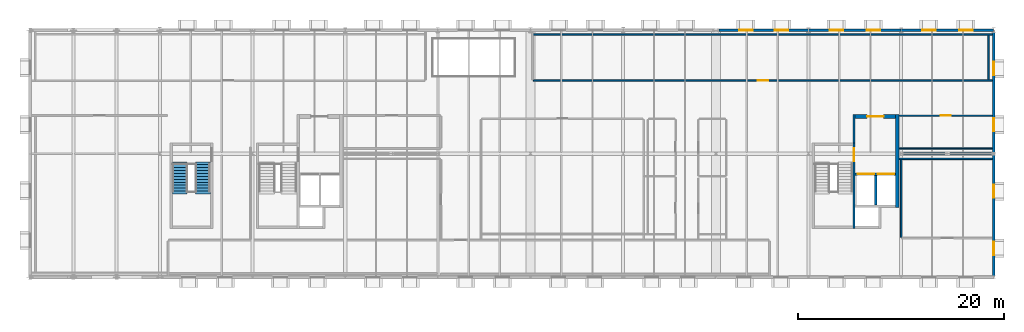
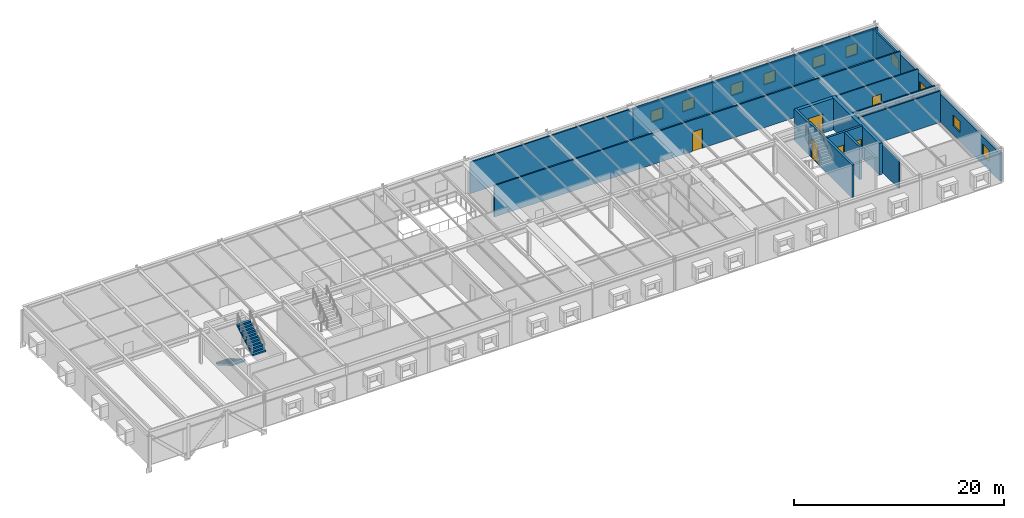
# One storey, part 14 of 17: 19 walls, 10 windows, 6 doors, 2 stair flights, 16 openings, 1 element without a shape of its own.
"""IFC4 building model written with IfcOpenShell, lengths in metres."""

from ifc_helpers import new_model, si_unit, direction, frame, frame_2d, origin, place, context, subcontext, project, spatial, polyline, rectangle, outline, extrude, material, layer, layer_set, type_object, element, fill, aggregate, save


model = new_model("IFC4")

# Units and contexts
model_context = context("Model", 3, precision=1e-05, world=origin(), true_north=direction((0.0, 1.0)))
body_context = subcontext(model_context, "Body", "Model", "MODEL_VIEW")
ifc_project = project(units=[si_unit("LENGTHUNIT", "METRE"), si_unit("AREAUNIT", "SQUARE_METRE"), si_unit("VOLUMEUNIT", "CUBIC_METRE"), si_unit("PLANEANGLEUNIT", "RADIAN"), si_unit("MASSUNIT", "GRAM", prefix="KILO")], contexts=[model_context])

# Site, building, storey
site_placement = place(None, origin())
site = spatial("IfcSite", under=ifc_project, at=site_placement, CompositionType="ELEMENT")
building_placement = place(site_placement, origin())
building = spatial("IfcBuilding", under=site, at=building_placement, Name="Montelvaro Courts of Justice", CompositionType="ELEMENT")
storey_placement = place(building_placement, frame((0.0, 0.0, 31.39990234375)))
storey = spatial("IfcBuildingStorey", under=building, at=storey_placement, Name="L07", CompositionType="ELEMENT", Elevation=31.39990234375)

# Wall, opening, door
ifc_material_1 = material(Name="Gypsum board on metal stud")
ifc_layer_1 = layer(ifc_material_1, 0.14990234375)
ifc_layer_set_1 = layer_set([ifc_layer_1], Name="Gypsum board on metal stud")
wall_type_1 = type_object("IfcWallType", Name="ChambersPartition_150", PredefinedType="PARTITIONING", material=ifc_layer_set_1)
wall_1_placement = place(storey_placement, frame((125.864990234375, 19.10009765625, 0.0), z_axis=(0.0, 0.0, 1.0), x_axis=(-1.0, 0.0, 0.0)))
wall_1 = element("IfcWall", 1, at=wall_1_placement, inside=storey, type_object=wall_type_1, Name="Interior Partition IW-04 (L07)", PredefinedType="PARTITIONING", context=body_context, shape_type="SweptSolid", body=[
    extrude(rectangle(XDim=44.5849609375, YDim=0.14990234375, at=frame_2d((22.29248046875, 0.0))), origin(), (0.0, 0.0, 1.0), 3.64013671875),
])
opening_1_placement = place(wall_1_placement, frame((21.76806640625, 0.0, 0.0)))
opening_1 = element("IfcOpeningElement", 2, at=opening_1_placement, cuts=wall_1, Name="Opening D-L07-182", PredefinedType="OPENING", context=body_context, shape_type="SweptSolid", body=[
    extrude(rectangle(XDim=1.050048828125, YDim=2.25, at=frame_2d((0.52490234375, 1.125))), frame((0.0, 0.08984375, 0.0), z_axis=(0.0, -1.0, 0.0), x_axis=(1.0, 0.0, 0.0)), (0.0, 0.0, 1.0), 0.1796875),
])
ifc_material_2 = material(Name="Acoustic oak timber veneer", Category="wood")
door_type_1 = type_object("IfcDoorType", Name="ChamberDoor_105x225", OperationType="NOTDEFINED", PredefinedType="DOOR", material=ifc_material_2)
door_1_placement = place(opening_1_placement, origin())
door_1 = element("IfcDoor", 3, at=door_1_placement, inside=storey, type_object=door_type_1, Name="Interior Door D-L07-182 (Appellate Case Deliberation Room L07)", OperationType="SINGLE_SWING_LEFT", OverallHeight=2.25, OverallWidth=1.050048828125, PredefinedType="DOOR", context=body_context, shape_type="SweptSolid", body=[
    extrude(rectangle(XDim=1.050048828125, YDim=2.25, at=frame_2d((0.52490234375, 1.125))), frame((0.0, 0.02490234375, 0.0), z_axis=(0.0, -1.0, 0.0), x_axis=(1.0, 0.0, 0.0)), (0.0, 0.0, 1.0), 0.050048828125),
])
fill(opening_1, door_1)

# Walls
wall_2_placement = place(storey_placement, frame((81.2080078125, 23.60009765625, 0.0), z_axis=(0.0, 0.0, 1.0), x_axis=(1.0, 0.0, 0.0)))
element("IfcWall", 4, at=wall_2_placement, inside=storey, type_object=wall_type_1, Name="Interior Partition IW-04 (L07)", PredefinedType="PARTITIONING", context=body_context, shape_type="SweptSolid", body=[
    extrude(rectangle(XDim=44.783935546875, YDim=0.14990234375, at=frame_2d((22.39208984375, 0.0))), origin(), (0.0, 0.0, 1.0), 3.64013671875),
])
wall_3_placement = place(storey_placement, frame((125.5, 23.530029296875, 0.0), z_axis=(0.0, 0.0, 1.0), x_axis=(0.0, -1.0, 0.0)))
element("IfcWall", 5, at=wall_3_placement, inside=storey, type_object=wall_type_1, Name="Interior Partition IW-04 (L07)", PredefinedType="PARTITIONING", context=body_context, shape_type="SweptSolid", body=[
    extrude(rectangle(XDim=4.360107421875, YDim=0.14990234375, at=frame_2d((2.18017578125, 0.0))), origin(), (0.0, 0.0, 1.0), 3.64013671875),
])
wall_4_placement = place(storey_placement, frame((117.0, 3.8798828125, 0.0), z_axis=(0.0, 0.0, 1.0), x_axis=(0.0, 1.0, 0.0)))
element("IfcWall", 6, at=wall_4_placement, inside=storey, type_object=wall_type_1, Name="Interior Partition IW-04 (L07)", PredefinedType="PARTITIONING", context=body_context, shape_type="SweptSolid", body=[
    extrude(rectangle(XDim=7.5400390625, YDim=0.14990234375, at=frame_2d((3.77001953125, 0.0))), origin(), (0.0, 0.0, 1.0), 3.30517578125),
])
wall_5_placement = place(storey_placement, frame((116.794921875, 11.5, 0.0), z_axis=(0.0, 0.0, 1.0), x_axis=(1.0, 0.0, 0.0)))
element("IfcWall", 7, at=wall_5_placement, inside=storey, type_object=wall_type_1, Name="Interior Partition IW-04 (L07)", PredefinedType="PARTITIONING", context=body_context, shape_type="SweptSolid", body=[
    extrude(rectangle(XDim=9.070068359375, YDim=0.14990234375, at=frame_2d((4.53515625, 0.0))), origin(), (0.0, 0.0, 1.0), 3.64013671875),
])

# Wall, opening, door
ifc_material_3 = material(Name="Concrete C40/50", Category="concrete")
ifc_layer_2 = layer(ifc_material_3, 0.360107421875)
ifc_layer_set_2 = layer_set([ifc_layer_2], Name="Concrete C40/50")
wall_type_2 = type_object("IfcWallType", Name="CoreWall_360", PredefinedType="SHEAR", material=ifc_layer_set_2)
wall_6_placement = place(storey_placement, frame((112.5400390625, 15.6201171875, 0.0), z_axis=(0.0, 0.0, 1.0), x_axis=(1.0, 0.0, 0.0)))
wall_6 = element("IfcWall", 8, at=wall_6_placement, inside=storey, type_object=wall_type_2, Name="Core Shear Wall CW-01 K2-N (L07)", PredefinedType="SHEAR", context=body_context, shape_type="SweptSolid", body=[
    extrude(rectangle(XDim=3.89990234375, YDim=0.360107421875, at=frame_2d((1.949951171875, 0.0))), origin(), (0.0, 0.0, 1.0), 3.66015625),
])
opening_2_placement = place(wall_6_placement, frame((1.14990234375, 0.0, 0.0)))
opening_2 = element("IfcOpeningElement", 9, at=opening_2_placement, cuts=wall_6, Name="Opening DL-L07-K2", PredefinedType="OPENING", context=body_context, shape_type="SweptSolid", body=[
    extrude(rectangle(XDim=1.60009765625, YDim=2.25, at=frame_2d((0.800048828125, 1.125))), frame((0.0, 0.19482421875, 0.0), z_axis=(0.0, -1.0, 0.0), x_axis=(1.0, 0.0, 0.0)), (0.0, 0.0, 1.0), 0.389892578125),
])
ifc_material_4 = material(Name="Galvanised steel S355 security door", Category="steel")
door_type_2 = type_object("IfcDoorType", Name="LobbyFireDoor_160x225", OperationType="DOUBLE_DOOR_SINGLE_SWING", PredefinedType="DOOR", material=ifc_material_4)
door_2_placement = place(opening_2_placement, origin())
door_2 = element("IfcDoor", 10, at=door_2_placement, inside=storey, type_object=door_type_2, Name="Core Lobby Fire Door DL-L07-K2", OperationType="DOUBLE_DOOR_SINGLE_SWING", OverallHeight=2.25, OverallWidth=1.60009765625, PredefinedType="DOOR", context=body_context, shape_type="SweptSolid", body=[
    extrude(rectangle(XDim=1.60009765625, YDim=2.25, at=frame_2d((0.800048828125, 1.125))), frame((0.0, 0.02490234375, 0.0), z_axis=(0.0, -1.0, 0.0), x_axis=(1.0, 0.0, 0.0)), (0.0, 0.0, 1.0), 0.050048828125),
])
fill(opening_2, door_2)

# Wall
wall_7_placement = place(storey_placement, frame((116.6201171875, 6.760009765625, 0.0), z_axis=(0.0, 0.0, 1.0), x_axis=(0.0, 1.0, 0.0)))
element("IfcWall", 11, at=wall_7_placement, inside=storey, type_object=wall_type_2, Name="Core Shear Wall CW-01 K2-E (L07)", PredefinedType="SHEAR", context=body_context, shape_type="SweptSolid", body=[
    extrude(rectangle(XDim=9.0400390625, YDim=0.360107421875, at=frame_2d((4.52001953125, 0.0))), origin(), (0.0, 0.0, 1.0), 3.66015625),
])

# Wall, openings, windows
ifc_material_5 = material(Name="White mineral precast concrete C45/55", Category="concrete")
ifc_layer_3 = layer(ifc_material_5, 0.280029296875)
ifc_layer_set_3 = layer_set([ifc_layer_3], Name="White mineral precast concrete C45/55")
wall_type_3 = type_object("IfcWallType", Name="ExtWall_GFRC_280", PredefinedType="SOLIDWALL", material=ifc_layer_set_3)
wall_8_placement = place(storey_placement, frame((126.0, 0.14794921875, 0.0), z_axis=(0.0, 0.0, 1.0), x_axis=(0.0, 1.0, 0.0)))
wall_8 = element("IfcWall", 12, at=wall_8_placement, inside=storey, type_object=wall_type_3, Name="Exterior Facade Wall EW-01 (L07)", PredefinedType="SOLIDWALL", context=body_context, shape_type="SweptSolid", body=[
    extrude(rectangle(XDim=11.72412109375, YDim=0.280029296875, at=frame_2d((5.862060546875, 0.0))), origin(), (0.0, 0.0, 1.0), 3.2451171875),
])
opening_3_placement = place(wall_8_placement, frame((2.011962890625, 0.0, 1.050048828125)))
opening_3 = element("IfcOpeningElement", 13, at=opening_3_placement, cuts=wall_8, Name="Opening WE-18", PredefinedType="OPENING", context=body_context, shape_type="SweptSolid", body=[
    extrude(rectangle(XDim=1.300048828125, YDim=1.300048828125, at=frame_2d((0.64990234375, 0.64990234375))), frame((0.0, 0.15478515625, 0.0), z_axis=(0.0, -1.0, 0.0), x_axis=(1.0, 0.0, 0.0)), (0.0, 0.0, 1.0), 0.309814453125),
])
opening_4_placement = place(wall_8_placement, frame((7.556884765625, 0.0, 1.050048828125)))
opening_4 = element("IfcOpeningElement", 14, at=opening_4_placement, cuts=wall_8, Name="Opening WE-18", PredefinedType="OPENING", context=body_context, shape_type="SweptSolid", body=[
    extrude(rectangle(XDim=1.300048828125, YDim=1.300048828125, at=frame_2d((0.64990234375, 0.64990234375))), frame((0.0, 0.15478515625, 0.0), z_axis=(0.0, -1.0, 0.0), x_axis=(1.0, 0.0, 0.0)), (0.0, 0.0, 1.0), 0.309814453125),
])
ifc_material_6 = material(Name="Low-E solar control double glazing", Category="glass")
window_type = type_object("IfcWindowType", Name="Win_Sq_130x130", PartitioningType="SINGLE_PANEL", PredefinedType="WINDOW", material=ifc_material_6)
window_1_placement = place(opening_3_placement, origin())
window_1 = element("IfcWindow", 15, at=window_1_placement, inside=storey, type_object=window_type, Name="Window W-L07-360", OverallHeight=1.300048828125, OverallWidth=1.300048828125, PartitioningType="SINGLE_PANEL", PredefinedType="WINDOW", context=body_context, shape_type="SweptSolid", body=[
    extrude(rectangle(XDim=1.300048828125, YDim=1.300048828125, at=frame_2d((0.64990234375, 0.64990234375))), frame((0.0, 0.030029296875, 0.0), z_axis=(0.0, -1.0, 0.0), x_axis=(1.0, 0.0, 0.0)), (0.0, 0.0, 1.0), 0.06005859375),
])
fill(opening_3, window_1)
window_2_placement = place(opening_4_placement, origin())
window_2 = element("IfcWindow", 16, at=window_2_placement, inside=storey, type_object=window_type, Name="Window W-L07-361", OverallHeight=1.300048828125, OverallWidth=1.300048828125, PartitioningType="SINGLE_PANEL", PredefinedType="WINDOW", context=body_context, shape_type="SweptSolid", body=[
    extrude(rectangle(XDim=1.300048828125, YDim=1.300048828125, at=frame_2d((0.64990234375, 0.64990234375))), frame((0.0, 0.030029296875, 0.0), z_axis=(0.0, -1.0, 0.0), x_axis=(1.0, 0.0, 0.0)), (0.0, 0.0, 1.0), 0.06005859375),
])
fill(opening_4, window_2)

wall_9_placement = place(storey_placement, frame((126.0, 12.1279296875, 0.0), z_axis=(0.0, 0.0, 1.0), x_axis=(0.0, 1.0, 0.0)))
wall_9 = element("IfcWall", 17, at=wall_9_placement, inside=storey, type_object=wall_type_3, Name="Exterior Facade Wall EW-01 (L07)", PredefinedType="SOLIDWALL", context=body_context, shape_type="SweptSolid", body=[
    extrude(rectangle(XDim=11.6240234375, YDim=0.280029296875, at=frame_2d((5.81201171875, 0.0))), origin(), (0.0, 0.0, 1.0), 3.2451171875),
])
opening_5_placement = place(wall_9_placement, frame((2.031982421875, 0.0, 1.050048828125)))
opening_5 = element("IfcOpeningElement", 18, at=opening_5_placement, cuts=wall_9, Name="Opening WE-18", PredefinedType="OPENING", context=body_context, shape_type="SweptSolid", body=[
    extrude(rectangle(XDim=1.300048828125, YDim=1.300048828125, at=frame_2d((0.64990234375, 0.64990234375))), frame((0.0, 0.15478515625, 0.0), z_axis=(0.0, -1.0, 0.0), x_axis=(1.0, 0.0, 0.0)), (0.0, 0.0, 1.0), 0.309814453125),
])
opening_6_placement = place(wall_9_placement, frame((7.487060546875, 0.0, 1.050048828125)))
opening_6 = element("IfcOpeningElement", 19, at=opening_6_placement, cuts=wall_9, Name="Opening WE-18", PredefinedType="OPENING", context=body_context, shape_type="SweptSolid", body=[
    extrude(rectangle(XDim=1.300048828125, YDim=1.300048828125, at=frame_2d((0.64990234375, 0.64990234375))), frame((0.0, 0.15478515625, 0.0), z_axis=(0.0, -1.0, 0.0), x_axis=(1.0, 0.0, 0.0)), (0.0, 0.0, 1.0), 0.309814453125),
])
window_3_placement = place(opening_5_placement, origin())
window_3 = element("IfcWindow", 20, at=window_3_placement, inside=storey, type_object=window_type, Name="Window W-L07-362", OverallHeight=1.300048828125, OverallWidth=1.300048828125, PartitioningType="SINGLE_PANEL", PredefinedType="WINDOW", context=body_context, shape_type="SweptSolid", body=[
    extrude(rectangle(XDim=1.300048828125, YDim=1.300048828125, at=frame_2d((0.64990234375, 0.64990234375))), frame((0.0, 0.030029296875, 0.0), z_axis=(0.0, -1.0, 0.0), x_axis=(1.0, 0.0, 0.0)), (0.0, 0.0, 1.0), 0.06005859375),
])
fill(opening_5, window_3)
window_4_placement = place(opening_6_placement, origin())
window_4 = element("IfcWindow", 21, at=window_4_placement, inside=storey, type_object=window_type, Name="Window W-L07-363", OverallHeight=1.300048828125, OverallWidth=1.300048828125, PartitioningType="SINGLE_PANEL", PredefinedType="WINDOW", context=body_context, shape_type="SweptSolid", body=[
    extrude(rectangle(XDim=1.300048828125, YDim=1.300048828125, at=frame_2d((0.64990234375, 0.64990234375))), frame((0.0, 0.030029296875, 0.0), z_axis=(0.0, -1.0, 0.0), x_axis=(1.0, 0.0, 0.0)), (0.0, 0.0, 1.0), 0.06005859375),
])
fill(opening_6, window_4)

wall_10_placement = place(storey_placement, frame((125.991943359375, 24.0, 0.0), z_axis=(0.0, 0.0, 1.0), x_axis=(-1.0, 0.0, 0.0)))
wall_10 = element("IfcWall", 22, at=wall_10_placement, inside=storey, type_object=wall_type_3, Name="Exterior Facade Wall EW-01 (L07)", PredefinedType="SOLIDWALL", context=body_context, shape_type="SweptSolid", body=[
    extrude(rectangle(XDim=8.98388671875, YDim=0.280029296875, at=frame_2d((4.491943359375, 0.0))), origin(), (0.0, 0.0, 1.0), 3.255126953125),
])
opening_7_placement = place(wall_10_placement, frame((2.044921875, 0.0, 1.050048828125)))
opening_7 = element("IfcOpeningElement", 23, at=opening_7_placement, cuts=wall_10, Name="Opening WE-18", PredefinedType="OPENING", context=body_context, shape_type="SweptSolid", body=[
    extrude(rectangle(XDim=1.300048828125, YDim=1.300048828125, at=frame_2d((0.64990234375, 0.64990234375))), frame((0.0, 0.15478515625, 0.0), z_axis=(0.0, -1.0, 0.0), x_axis=(1.0, 0.0, 0.0)), (0.0, 0.0, 1.0), 0.309814453125),
])
opening_8_placement = place(wall_10_placement, frame((5.638916015625, 0.0, 1.050048828125)))
opening_8 = element("IfcOpeningElement", 24, at=opening_8_placement, cuts=wall_10, Name="Opening WE-18", PredefinedType="OPENING", context=body_context, shape_type="SweptSolid", body=[
    extrude(rectangle(XDim=1.300048828125, YDim=1.300048828125, at=frame_2d((0.64990234375, 0.64990234375))), frame((0.0, 0.15478515625, 0.0), z_axis=(0.0, -1.0, 0.0), x_axis=(1.0, 0.0, 0.0)), (0.0, 0.0, 1.0), 0.309814453125),
])
window_5_placement = place(opening_7_placement, origin())
window_5 = element("IfcWindow", 25, at=window_5_placement, inside=storey, type_object=window_type, Name="Window W-L07-364", OverallHeight=1.300048828125, OverallWidth=1.300048828125, PartitioningType="SINGLE_PANEL", PredefinedType="WINDOW", context=body_context, shape_type="SweptSolid", body=[
    extrude(rectangle(XDim=1.300048828125, YDim=1.300048828125, at=frame_2d((0.64990234375, 0.64990234375))), frame((0.0, 0.030029296875, 0.0), z_axis=(0.0, -1.0, 0.0), x_axis=(1.0, 0.0, 0.0)), (0.0, 0.0, 1.0), 0.06005859375),
])
fill(opening_7, window_5)
window_6_placement = place(opening_8_placement, origin())
window_6 = element("IfcWindow", 26, at=window_6_placement, inside=storey, type_object=window_type, Name="Window W-L07-365", OverallHeight=1.300048828125, OverallWidth=1.300048828125, PartitioningType="SINGLE_PANEL", PredefinedType="WINDOW", context=body_context, shape_type="SweptSolid", body=[
    extrude(rectangle(XDim=1.300048828125, YDim=1.300048828125, at=frame_2d((0.64990234375, 0.64990234375))), frame((0.0, 0.030029296875, 0.0), z_axis=(0.0, -1.0, 0.0), x_axis=(1.0, 0.0, 0.0)), (0.0, 0.0, 1.0), 0.06005859375),
])
fill(opening_8, window_6)

wall_11_placement = place(storey_placement, frame((116.991943359375, 24.0, 0.0), z_axis=(0.0, 0.0, 1.0), x_axis=(-1.0, 0.0, 0.0)))
wall_11 = element("IfcWall", 27, at=wall_11_placement, inside=storey, type_object=wall_type_3, Name="Exterior Facade Wall EW-01 (L07)", PredefinedType="SOLIDWALL", context=body_context, shape_type="SweptSolid", body=[
    extrude(rectangle(XDim=8.98388671875, YDim=0.280029296875, at=frame_2d((4.491943359375, 0.0))), origin(), (0.0, 0.0, 1.0), 3.255126953125),
])
opening_9_placement = place(wall_11_placement, frame((2.044921875, 0.0, 1.050048828125)))
opening_9 = element("IfcOpeningElement", 28, at=opening_9_placement, cuts=wall_11, Name="Opening WE-18", PredefinedType="OPENING", context=body_context, shape_type="SweptSolid", body=[
    extrude(rectangle(XDim=1.300048828125, YDim=1.300048828125, at=frame_2d((0.64990234375, 0.64990234375))), frame((0.0, 0.15478515625, 0.0), z_axis=(0.0, -1.0, 0.0), x_axis=(1.0, 0.0, 0.0)), (0.0, 0.0, 1.0), 0.309814453125),
])
opening_10_placement = place(wall_11_placement, frame((5.638916015625, 0.0, 1.050048828125)))
opening_10 = element("IfcOpeningElement", 29, at=opening_10_placement, cuts=wall_11, Name="Opening WE-18", PredefinedType="OPENING", context=body_context, shape_type="SweptSolid", body=[
    extrude(rectangle(XDim=1.300048828125, YDim=1.300048828125, at=frame_2d((0.64990234375, 0.64990234375))), frame((0.0, 0.15478515625, 0.0), z_axis=(0.0, -1.0, 0.0), x_axis=(1.0, 0.0, 0.0)), (0.0, 0.0, 1.0), 0.309814453125),
])
window_7_placement = place(opening_9_placement, origin())
window_7 = element("IfcWindow", 30, at=window_7_placement, inside=storey, type_object=window_type, Name="Window W-L07-366", OverallHeight=1.300048828125, OverallWidth=1.300048828125, PartitioningType="SINGLE_PANEL", PredefinedType="WINDOW", context=body_context, shape_type="SweptSolid", body=[
    extrude(rectangle(XDim=1.300048828125, YDim=1.300048828125, at=frame_2d((0.64990234375, 0.64990234375))), frame((0.0, 0.030029296875, 0.0), z_axis=(0.0, -1.0, 0.0), x_axis=(1.0, 0.0, 0.0)), (0.0, 0.0, 1.0), 0.06005859375),
])
fill(opening_9, window_7)
window_8_placement = place(opening_10_placement, origin())
window_8 = element("IfcWindow", 31, at=window_8_placement, inside=storey, type_object=window_type, Name="Window W-L07-367", OverallHeight=1.300048828125, OverallWidth=1.300048828125, PartitioningType="SINGLE_PANEL", PredefinedType="WINDOW", context=body_context, shape_type="SweptSolid", body=[
    extrude(rectangle(XDim=1.300048828125, YDim=1.300048828125, at=frame_2d((0.64990234375, 0.64990234375))), frame((0.0, 0.030029296875, 0.0), z_axis=(0.0, -1.0, 0.0), x_axis=(1.0, 0.0, 0.0)), (0.0, 0.0, 1.0), 0.06005859375),
])
fill(opening_10, window_8)

wall_12_placement = place(storey_placement, frame((107.991943359375, 24.0, 0.0), z_axis=(0.0, 0.0, 1.0), x_axis=(-1.0, 0.0, 0.0)))
wall_12 = element("IfcWall", 32, at=wall_12_placement, inside=storey, type_object=wall_type_3, Name="Exterior Facade Wall EW-01 (L07)", PredefinedType="SOLIDWALL", context=body_context, shape_type="SweptSolid", body=[
    extrude(rectangle(XDim=8.6689453125, YDim=0.280029296875, at=frame_2d((4.33447265625, 0.0))), origin(), (0.0, 0.0, 1.0), 3.255126953125),
])
opening_11_placement = place(wall_12_placement, frame((1.950927734375, 0.0, 1.050048828125)))
opening_11 = element("IfcOpeningElement", 33, at=opening_11_placement, cuts=wall_12, Name="Opening WE-18", PredefinedType="OPENING", context=body_context, shape_type="SweptSolid", body=[
    extrude(rectangle(XDim=1.300048828125, YDim=1.300048828125, at=frame_2d((0.64990234375, 0.64990234375))), frame((0.0, 0.15478515625, 0.0), z_axis=(0.0, -1.0, 0.0), x_axis=(1.0, 0.0, 0.0)), (0.0, 0.0, 1.0), 0.309814453125),
])
opening_12_placement = place(wall_12_placement, frame((5.41796875, 0.0, 1.050048828125)))
opening_12 = element("IfcOpeningElement", 34, at=opening_12_placement, cuts=wall_12, Name="Opening WE-18", PredefinedType="OPENING", context=body_context, shape_type="SweptSolid", body=[
    extrude(rectangle(XDim=1.300048828125, YDim=1.300048828125, at=frame_2d((0.64990234375, 0.64990234375))), frame((0.0, 0.15478515625, 0.0), z_axis=(0.0, -1.0, 0.0), x_axis=(1.0, 0.0, 0.0)), (0.0, 0.0, 1.0), 0.309814453125),
])
window_9_placement = place(opening_11_placement, origin())
window_9 = element("IfcWindow", 35, at=window_9_placement, inside=storey, type_object=window_type, Name="Window W-L07-368", OverallHeight=1.300048828125, OverallWidth=1.300048828125, PartitioningType="SINGLE_PANEL", PredefinedType="WINDOW", context=body_context, shape_type="SweptSolid", body=[
    extrude(rectangle(XDim=1.300048828125, YDim=1.300048828125, at=frame_2d((0.64990234375, 0.64990234375))), frame((0.0, 0.030029296875, 0.0), z_axis=(0.0, -1.0, 0.0), x_axis=(1.0, 0.0, 0.0)), (0.0, 0.0, 1.0), 0.06005859375),
])
fill(opening_11, window_9)
window_10_placement = place(opening_12_placement, origin())
window_10 = element("IfcWindow", 36, at=window_10_placement, inside=storey, type_object=window_type, Name="Window W-L07-369", OverallHeight=1.300048828125, OverallWidth=1.300048828125, PartitioningType="SINGLE_PANEL", PredefinedType="WINDOW", context=body_context, shape_type="SweptSolid", body=[
    extrude(rectangle(XDim=1.300048828125, YDim=1.300048828125, at=frame_2d((0.64990234375, 0.64990234375))), frame((0.0, 0.030029296875, 0.0), z_axis=(0.0, -1.0, 0.0), x_axis=(1.0, 0.0, 0.0)), (0.0, 0.0, 1.0), 0.06005859375),
])
fill(opening_12, window_10)

# Wall
ifc_layer_4 = layer(ifc_material_1, 0.1201171875)
ifc_layer_set_4 = layer_set([ifc_layer_4], Name="Gypsum board on metal stud")
wall_type_4 = type_object("IfcWallType", Name="OfficePartition_120", PredefinedType="PARTITIONING", material=ifc_layer_set_4)
wall_13_placement = place(storey_placement, frame((125.864990234375, 12.5, 0.0), z_axis=(0.0, 0.0, 1.0), x_axis=(-1.0, 0.0, 0.0)))
element("IfcWall", 37, at=wall_13_placement, inside=storey, type_object=wall_type_4, Name="Interior Partition IW-05 (L07)", PredefinedType="PARTITIONING", context=body_context, shape_type="SweptSolid", body=[
    extrude(rectangle(XDim=9.070068359375, YDim=0.1201171875, at=frame_2d((4.53515625, 0.0))), origin(), (0.0, 0.0, 1.0), 3.64013671875),
])

# Wall, opening, door
wall_14_placement = place(storey_placement, frame((116.794921875, 15.699951171875, 0.0), z_axis=(0.0, 0.0, 1.0), x_axis=(1.0, 0.0, 0.0)))
wall_14 = element("IfcWall", 38, at=wall_14_placement, inside=storey, type_object=wall_type_4, Name="Interior Partition IW-05 (L07)", PredefinedType="PARTITIONING", context=body_context, shape_type="SweptSolid", body=[
    extrude(rectangle(XDim=9.070068359375, YDim=0.1201171875, at=frame_2d((4.53515625, 0.0))), origin(), (0.0, 0.0, 1.0), 3.64013671875),
])
opening_13_placement = place(wall_14_placement, frame((4.06005859375, 0.0, 0.0)))
opening_13 = element("IfcOpeningElement", 39, at=opening_13_placement, cuts=wall_14, Name="Opening D-L07-185", PredefinedType="OPENING", context=body_context, shape_type="SweptSolid", body=[
    extrude(rectangle(XDim=0.949951171875, YDim=2.14990234375, at=frame_2d((0.47509765625, 1.074951171875))), frame((0.0, 0.074951171875, 0.0), z_axis=(0.0, -1.0, 0.0), x_axis=(1.0, 0.0, 0.0)), (0.0, 0.0, 1.0), 0.14990234375),
])
door_type_3 = type_object("IfcDoorType", Name="OfficeDoor_095x215", OperationType="NOTDEFINED", PredefinedType="DOOR", material=ifc_material_2)
door_3_placement = place(opening_13_placement, frame((0.949951171875, 0.0, 0.0), z_axis=(0.0, 0.0, 1.0), x_axis=(-1.0, 0.0, 0.0)))
door_3 = element("IfcDoor", 40, at=door_3_placement, inside=storey, type_object=door_type_3, Name="Interior Door D-L07-185 (Appellate Case Registry L07)", OperationType="SINGLE_SWING_RIGHT", OverallHeight=2.14990234375, OverallWidth=0.949951171875, PredefinedType="DOOR", context=body_context, shape_type="SweptSolid", body=[
    extrude(rectangle(XDim=0.949951171875, YDim=2.14990234375, at=frame_2d((0.47509765625, 1.074951171875))), frame((0.0, 0.02490234375, 0.0), z_axis=(0.0, -1.0, 0.0), x_axis=(1.0, 0.0, 0.0)), (0.0, 0.0, 1.0), 0.050048828125),
])
fill(opening_13, door_3)

ifc_material_7 = material(Name="Concrete C35/45", Category="concrete")
ifc_layer_5 = layer(ifc_material_7, 0.239990234375)
ifc_layer_set_5 = layer_set([ifc_layer_5], Name="Concrete C35/45")
wall_type_5 = type_object("IfcWallType", Name="ShaftWall_240", PredefinedType="SHEAR", material=ifc_layer_set_5)
wall_15_placement = place(storey_placement, frame((112.419921875, 4.760009765625, 0.0), z_axis=(0.0, 0.0, 1.0), x_axis=(0.0, 1.0, 0.0)))
wall_15 = element("IfcWall", 41, at=wall_15_placement, inside=storey, type_object=wall_type_5, Name="Protected Stair Structural Wall ST-K2-E (L07)", PredefinedType="SHEAR", context=body_context, shape_type="SweptSolid", body=[
    extrude(rectangle(XDim=8.280029296875, YDim=0.239990234375, at=frame_2d((4.14013671875, 0.0))), origin(), (0.0, 0.0, 1.0), 3.81005859375),
])
opening_14_placement = place(wall_15_placement, frame((6.489990234375, 0.0, 0.0)))
opening_14 = element("IfcOpeningElement", 42, at=opening_14_placement, cuts=wall_15, Name="Opening DS-L07-K2", PredefinedType="OPENING", context=body_context, shape_type="SweptSolid", body=[
    extrude(rectangle(XDim=1.300048828125, YDim=2.199951171875, at=frame_2d((0.64990234375, 1.10009765625))), frame((0.0, 0.134765625, 0.0), z_axis=(0.0, -1.0, 0.0), x_axis=(1.0, 0.0, 0.0)), (0.0, 0.0, 1.0), 0.269775390625),
])
door_type_4 = type_object("IfcDoorType", Name="StairFireDoor_130x220", OperationType="NOTDEFINED", PredefinedType="DOOR", material=ifc_material_4)
door_4_placement = place(opening_14_placement, frame((1.300048828125, 0.0, 0.0), z_axis=(0.0, 0.0, 1.0), x_axis=(-1.0, 0.0, 0.0)))
door_4 = element("IfcDoor", 43, at=door_4_placement, inside=storey, type_object=door_type_4, Name="Protected Stair Fire Door DS-L07-K2", OperationType="SINGLE_SWING_LEFT", OverallHeight=2.199951171875, OverallWidth=1.300048828125, PredefinedType="DOOR", context=body_context, shape_type="SweptSolid", body=[
    extrude(rectangle(XDim=1.300048828125, YDim=2.199951171875, at=frame_2d((0.64990234375, 1.10009765625))), frame((0.0, 0.02490234375, 0.0), z_axis=(0.0, -1.0, 0.0), x_axis=(1.0, 0.0, 0.0)), (0.0, 0.0, 1.0), 0.050048828125),
])
fill(opening_14, door_4)

# Wall
wall_16_placement = place(storey_placement, frame((112.419921875, 13.0400390625, 0.0), z_axis=(0.0, 0.0, 1.0), x_axis=(0.0, 1.0, 0.0)))
element("IfcWall", 44, at=wall_16_placement, inside=storey, type_object=wall_type_5, Name="Core Lobby Structural Wall K2-W (L07)", PredefinedType="SHEAR", context=body_context, shape_type="SweptSolid", body=[
    extrude(rectangle(XDim=2.760009765625, YDim=0.239990234375, at=frame_2d((1.3798828125, 0.0))), origin(), (0.0, 0.0, 1.0), 3.66015625),
])

# Wall, openings, doors
wall_17_placement = place(storey_placement, frame((112.5400390625, 10.02001953125, 0.0), z_axis=(0.0, 0.0, 1.0), x_axis=(1.0, 0.0, 0.0)))
wall_17 = element("IfcWall", 45, at=wall_17_placement, inside=storey, type_object=wall_type_5, Name="Lift Shaft Bank Wall K2 (L07)", PredefinedType="SHEAR", context=body_context, shape_type="SweptSolid", body=[
    extrude(rectangle(XDim=3.89990234375, YDim=0.239990234375, at=frame_2d((1.949951171875, 0.0))), origin(), (0.0, 0.0, 1.0), 3.81005859375),
])
opening_15_placement = place(wall_17_placement, frame((0.235107421875, 0.0, 0.0)))
opening_15 = element("IfcOpeningElement", 46, at=opening_15_placement, cuts=wall_17, Name="Opening LD-LF-02-L07", PredefinedType="OPENING", context=body_context, shape_type="SweptSolid", body=[
    extrude(rectangle(XDim=1.60009765625, YDim=2.300048828125, at=frame_2d((0.800048828125, 1.14990234375))), frame((0.0, 0.134765625, 0.0), z_axis=(0.0, -1.0, 0.0), x_axis=(1.0, 0.0, 0.0)), (0.0, 0.0, 1.0), 0.269775390625),
])
opening_16_placement = place(wall_17_placement, frame((2.18505859375, 0.0, 0.0)))
opening_16 = element("IfcOpeningElement", 47, at=opening_16_placement, cuts=wall_17, Name="Opening LD-LJ-02-L07", PredefinedType="OPENING", context=body_context, shape_type="SweptSolid", body=[
    extrude(rectangle(XDim=1.60009765625, YDim=2.300048828125, at=frame_2d((0.800048828125, 1.14990234375))), frame((0.0, 0.134765625, 0.0), z_axis=(0.0, -1.0, 0.0), x_axis=(1.0, 0.0, 0.0)), (0.0, 0.0, 1.0), 0.269775390625),
])
door_type_5 = type_object("IfcDoorType", Name="LiftDoor_160x230", OperationType="DOUBLE_DOOR_SLIDING", PredefinedType="DOOR", material=ifc_material_4)
door_5_placement = place(opening_15_placement, origin())
door_5 = element("IfcDoor", 48, at=door_5_placement, inside=storey, type_object=door_type_5, Name="Lift Landing Sliding Door LD-LF-02-L07", OperationType="DOUBLE_DOOR_SLIDING", OverallHeight=2.300048828125, OverallWidth=1.60009765625, PredefinedType="DOOR", context=body_context, shape_type="SweptSolid", body=[
    extrude(rectangle(XDim=1.60009765625, YDim=2.300048828125, at=frame_2d((0.800048828125, 1.14990234375))), frame((0.0, 0.02490234375, 0.0), z_axis=(0.0, -1.0, 0.0), x_axis=(1.0, 0.0, 0.0)), (0.0, 0.0, 1.0), 0.050048828125),
])
fill(opening_15, door_5)
door_6_placement = place(opening_16_placement, origin())
door_6 = element("IfcDoor", 49, at=door_6_placement, inside=storey, type_object=door_type_5, Name="Lift Landing Sliding Door LD-LJ-02-L07", OperationType="DOUBLE_DOOR_SLIDING", OverallHeight=2.300048828125, OverallWidth=1.60009765625, PredefinedType="DOOR", context=body_context, shape_type="SweptSolid", body=[
    extrude(rectangle(XDim=1.60009765625, YDim=2.300048828125, at=frame_2d((0.800048828125, 1.14990234375))), frame((0.0, 0.02490234375, 0.0), z_axis=(0.0, -1.0, 0.0), x_axis=(1.0, 0.0, 0.0)), (0.0, 0.0, 1.0), 0.050048828125),
])
fill(opening_16, door_6)

# Walls
wall_18_placement = place(storey_placement, frame((114.550048828125, 7.0, 0.0), z_axis=(0.0, 0.0, 1.0), x_axis=(0.0, 1.0, 0.0)))
element("IfcWall", 50, at=wall_18_placement, inside=storey, type_object=wall_type_5, Name="Lift Shaft Divider Wall K2-LFD1 (L07)", PredefinedType="SHEAR", context=body_context, shape_type="SweptSolid", body=[
    extrude(rectangle(XDim=2.89990234375, YDim=0.239990234375, at=frame_2d((1.449951171875, 0.0))), origin(), (0.0, 0.0, 1.0), 3.81005859375),
])
wall_19_placement = place(storey_placement, frame((117.14794921875, 12.0, 0.0), z_axis=(0.0, 0.0, 1.0), x_axis=(1.0, 0.0, 0.0)))
element("IfcWall", 51, at=wall_19_placement, inside=storey, type_object=wall_type_5, Name="Enclosed Braced Frame Structural Wall CBF2 (L07)", PredefinedType="SHEAR", context=body_context, shape_type="SweptSolid", body=[
    extrude(rectangle(XDim=8.843994140625, YDim=0.239990234375, at=frame_2d((4.421875, 0.0))), origin(), (0.0, 0.0, 1.0), 3.30517578125),
])

# Stair, stair flights
stair_type = type_object("IfcStairType", Name="ProtectedStair_145", PredefinedType="HALF_TURN_STAIR", material=ifc_material_7)
stair_placement = place(storey_placement, origin())
stair = element("IfcStair", 52, at=stair_placement, inside=storey, type_object=stair_type, Name="Protected Stair ST-E1-L07", PredefinedType="HALF_TURN_STAIR")
stair_flight_type = type_object("IfcStairFlightType", Name="StairFlight_145", PredefinedType="STRAIGHT", material=ifc_material_7)
stair_flight_1_placement = place(storey_placement, frame((46.925048828125, 11.219970703125, 0.0), z_axis=(0.0, 0.0, 1.0), x_axis=(0.0, -1.0, 0.0)))
stair_flight_1 = element("IfcStairFlight", 53, at=stair_flight_1_placement, type_object=stair_flight_type, Name="ST-E1-L07 flight 1", NumberOfRisers=12, NumberOfTreads=11, PredefinedType="STRAIGHT", RiserHeight=0.166666667, TreadLength=0.285, context=body_context, shape_type="SweptSolid", body=[
    extrude(outline(polyline([(0.0, 0.0), (0.0, 0.166748046875), (0.284912109375, 0.166748046875), (0.284912109375, 0.333251953125), (0.570068359375, 0.333251953125), (0.570068359375, 0.5), (0.85498046875, 0.5), (0.85498046875, 0.666748046875), (1.139892578125, 0.666748046875), (1.139892578125, 0.833251953125), (1.425048828125, 0.833251953125), (1.425048828125, 1.0), (1.7099609375, 1.0), (1.7099609375, 1.166748046875), (1.9951171875, 1.166748046875), (1.9951171875, 1.333251953125), (2.280029296875, 1.333251953125), (2.280029296875, 1.5), (2.56494140625, 1.5), (2.56494140625, 1.666748046875), (2.85009765625, 1.666748046875), (2.85009765625, 1.833251953125), (3.135009765625, 1.833251953125), (3.135009765625, 2.0), (3.135009765625, 1.648193359375), (0.31689453125, 0.0), (0.0, 0.0)])), frame((0.0, 0.72509765625, 0.0), z_axis=(0.0, -1.0, 0.0), x_axis=(1.0, 0.0, 0.0)), (0.0, 0.0, 1.0), 1.449951171875),
])
stair_flight_2_placement = place(storey_placement, frame((49.175048828125, 8.0849609375, 2.0), z_axis=(0.0, 0.0, 1.0), x_axis=(0.0, 1.0, 0.0)))
stair_flight_2 = element("IfcStairFlight", 54, at=stair_flight_2_placement, type_object=stair_flight_type, Name="ST-E1-L07 flight 2", NumberOfRisers=12, NumberOfTreads=11, PredefinedType="STRAIGHT", RiserHeight=0.166666667, TreadLength=0.285, context=body_context, shape_type="SweptSolid", body=[
    extrude(outline(polyline([(0.0, 0.0), (0.0, 0.166748046875), (0.284912109375, 0.166748046875), (0.284912109375, 0.333251953125), (0.570068359375, 0.333251953125), (0.570068359375, 0.5), (0.85498046875, 0.5), (0.85498046875, 0.666748046875), (1.139892578125, 0.666748046875), (1.139892578125, 0.833251953125), (1.425048828125, 0.833251953125), (1.425048828125, 1.0), (1.7099609375, 1.0), (1.7099609375, 1.166748046875), (1.9951171875, 1.166748046875), (1.9951171875, 1.333251953125), (2.280029296875, 1.333251953125), (2.280029296875, 1.5), (2.56494140625, 1.5), (2.56494140625, 1.666748046875), (2.85009765625, 1.666748046875), (2.85009765625, 1.833251953125), (3.135009765625, 1.833251953125), (3.135009765625, 2.0), (3.135009765625, 1.648193359375), (0.31689453125, 0.0), (0.0, 0.0)])), frame((0.0, 0.72509765625, 0.0), z_axis=(0.0, -1.0, 0.0), x_axis=(1.0, 0.0, 0.0)), (0.0, 0.0, 1.0), 1.449951171875),
])
aggregate(stair, [stair_flight_1, stair_flight_2])

save(model, "model.ifc")
